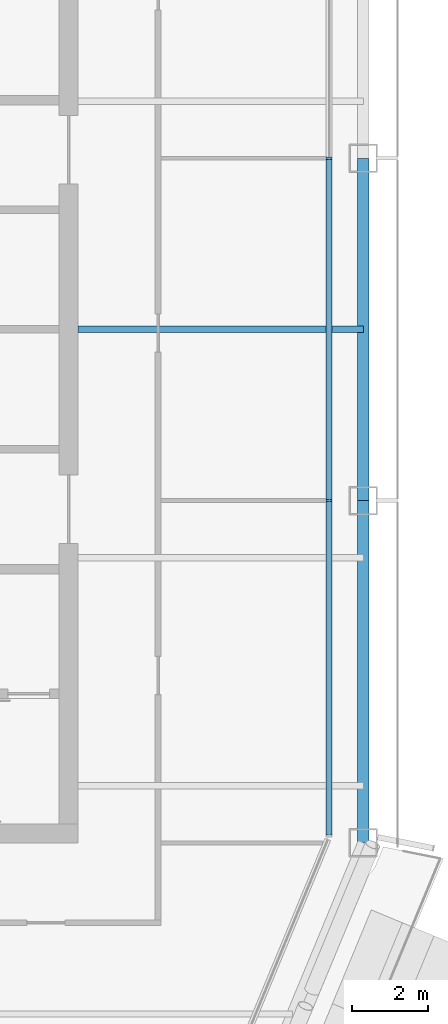
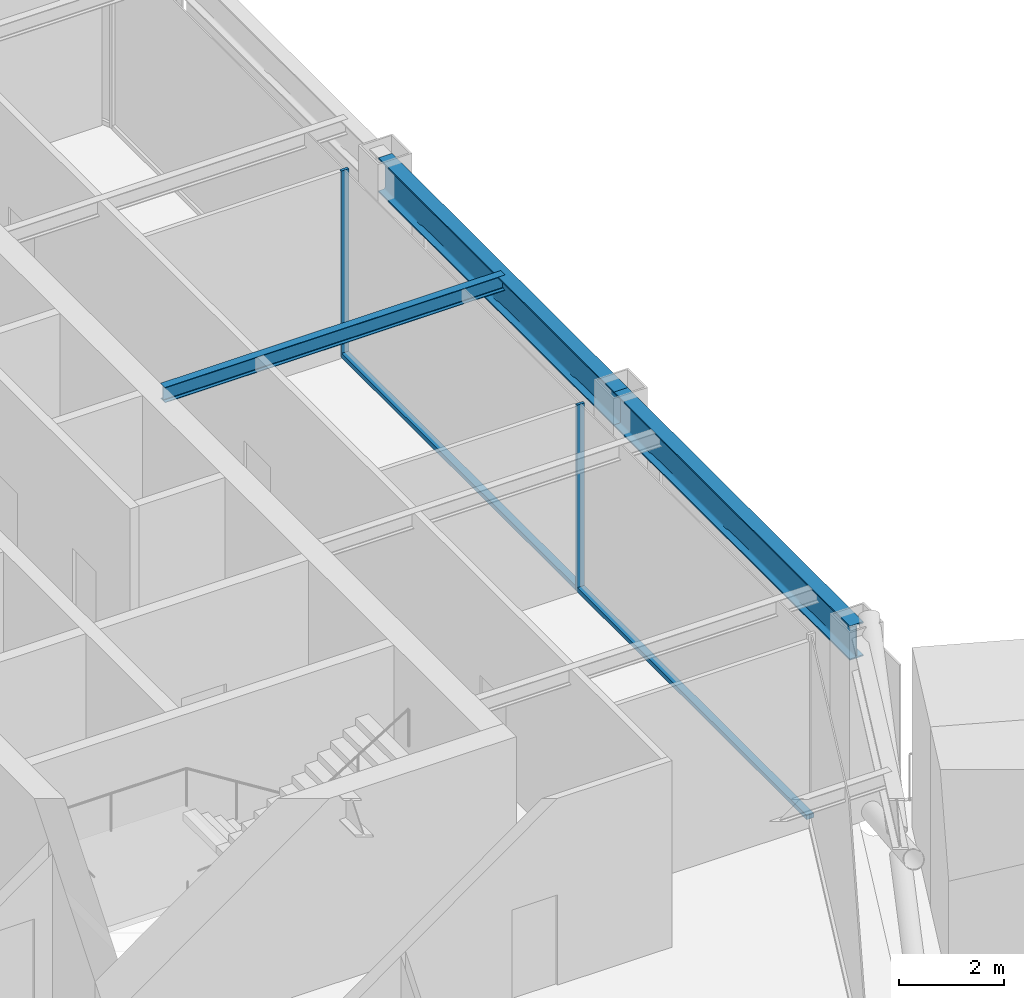
# One storey, part 5 of 21: 4 members, 3 beams, 1 element without a shape of its own.
"""IFC4 building model written with IfcOpenShell, lengths in metres."""

from ifc_helpers import new_model, si_unit, direction, frame, origin, origin_2d, place, context, subcontext, project, spatial, rectangle, i_section, extrude, material, layer, layer_set, material_profile, profile_set, type_object, element, aggregate, save


model = new_model("IFC4")

# Units and contexts
model_context = context("Model", 3, precision=1e-05, world=origin(), true_north=direction((0.0, 1.0)))
body_context = subcontext(model_context, "Body", "Model", "MODEL_VIEW")
ifc_project = project(units=[si_unit("LENGTHUNIT", "METRE"), si_unit("AREAUNIT", "SQUARE_METRE"), si_unit("VOLUMEUNIT", "CUBIC_METRE"), si_unit("PLANEANGLEUNIT", "RADIAN"), si_unit("MASSUNIT", "GRAM", prefix="KILO")], contexts=[model_context])

# Site, building, storey
site_placement = place(None, origin())
site = spatial("IfcSite", under=ifc_project, at=site_placement, CompositionType="ELEMENT")
building_placement = place(site_placement, origin())
building = spatial("IfcBuilding", under=site, at=building_placement, Name="Siwar Civic Tower", CompositionType="ELEMENT")
storey_placement = place(building_placement, frame((0.0, 0.0, 303.199951171875)))
storey = spatial("IfcBuildingStorey", under=building, at=storey_placement, Name="L65", CompositionType="ELEMENT", Elevation=303.199951171875)

# Curtain wall, members
ifc_material_1 = material(Name="Aluminium and glass", Category="aluminium")
ifc_layer = layer(ifc_material_1, 0.159912109375)
ifc_layer_set = layer_set([ifc_layer], Name="Aluminium and glass")
curtain_wall_type = type_object("IfcCurtainWallType", Name="ENV-CW-D", PredefinedType="NOTDEFINED", material=ifc_layer_set)
curtain_wall_placement = place(storey_placement, origin())
curtain_wall = element("IfcCurtainWall", 1, at=curtain_wall_placement, inside=storey, type_object=curtain_wall_type, Name="Curtain wall D E", PredefinedType="NOTDEFINED")
ifc_material_2 = material(Name="Aluminium 6063-T6", Category="aluminium")
ifc_material_profile_1 = material_profile(ifc_material_2, rectangle(XDim=0.159912109375, YDim=0.06005859375, at=origin_2d()), Name="AL 160x60")
ifc_profile_set_1 = profile_set([ifc_material_profile_1], Name="Aluminium 6063-T6")
member_type_1 = type_object("IfcMemberType", Name="ENV-MULLION-D", PredefinedType="MULLION", material=ifc_profile_set_1)
member_1_placement = place(storey_placement, frame((23.85009765625, -4.5, 0.0), z_axis=(0.0, 0.0, 1.0), x_axis=(-1.0, 0.0, 0.0)))
member_1 = element("IfcMember", 2, at=member_1_placement, type_object=member_type_1, Name="Mullion D E 2", PredefinedType="MULLION", context=body_context, shape_type="SweptSolid", body=[
    extrude(rectangle(XDim=0.159912109375, YDim=0.06005859375, at=origin_2d()), origin(), (0.0, 0.0, 1.0), 4.35009765625),
])
member_2_placement = place(storey_placement, frame((23.85009765625, 4.5, 0.0), z_axis=(0.0, 0.0, 1.0), x_axis=(-1.0, 0.0, 0.0)))
member_2 = element("IfcMember", 3, at=member_2_placement, type_object=member_type_1, Name="Mullion D E 3", PredefinedType="MULLION", context=body_context, shape_type="SweptSolid", body=[
    extrude(rectangle(XDim=0.159912109375, YDim=0.06005859375, at=origin_2d()), origin(), (0.0, 0.0, 1.0), 4.35009765625),
])
ifc_material_3 = material(Name="Aluminium 6063-T6", Category="aluminium")
ifc_material_profile_2 = material_profile(ifc_material_3, rectangle(XDim=0.159912109375, YDim=0.10009765625, at=origin_2d()), Name="AL 160x100")
ifc_profile_set_2 = profile_set([ifc_material_profile_2], Name="Aluminium 6063-T6")
member_type_2 = type_object("IfcMemberType", Name="ENV-TRANSOM-D", PredefinedType="USERDEFINED", material=ifc_profile_set_2)
member_3_placement = place(storey_placement, frame((23.85009765625, -13.291015625, 0.050048828125), z_axis=(0.0, 1.0, 0.0), x_axis=(-1.0, 0.0, 0.0)))
member_3 = element("IfcMember", 4, at=member_3_placement, type_object=member_type_2, Name="Transom D E 1", ObjectType="TRANSOM", PredefinedType="USERDEFINED", context=body_context, shape_type="SweptSolid", body=[
    extrude(rectangle(XDim=0.159912109375, YDim=0.10009765625, at=origin_2d()), origin(), (0.0, 0.0, 1.0), 8.760986328125),
])
member_4_placement = place(storey_placement, frame((23.85009765625, -4.469970703125, 0.050048828125), z_axis=(0.0, 1.0, 0.0), x_axis=(-1.0, 0.0, 0.0)))
member_4 = element("IfcMember", 5, at=member_4_placement, type_object=member_type_2, Name="Transom D E 2", ObjectType="TRANSOM", PredefinedType="USERDEFINED", context=body_context, shape_type="SweptSolid", body=[
    extrude(rectangle(XDim=0.159912109375, YDim=0.10009765625, at=origin_2d()), origin(), (0.0, 0.0, 1.0), 8.93994140625),
])
aggregate(curtain_wall, [member_1, member_2, member_3, member_4])

# Beams
ifc_material_4 = material(Name="Steel S355", Category="steel")
ifc_material_profile_3 = material_profile(ifc_material_4, i_section(OverallWidth=0.169921875, OverallDepth=0.360107421875, WebThickness=0.008056640625, FlangeThickness=0.0126953125, FilletRadius=0.01806640625, at=origin_2d()), Name="IPE360")
ifc_profile_set_3 = profile_set([ifc_material_profile_3], Name="Steel S355")
beam_type_1 = type_object("IfcBeamType", Name="STR-FB-IPE360", PredefinedType="JOIST", material=ifc_profile_set_3)
beam_placement = place(storey_placement, frame((17.25, 0.0, 4.170166015625), z_axis=(1.0, 0.0, 0.0), x_axis=(0.0, 1.0, 0.0)))
element("IfcBeam", 6, at=beam_placement, inside=storey, type_object=beam_type_1, Name="L65/bm/F019", PredefinedType="JOIST", context=body_context, shape_type="SweptSolid", body=[
    extrude(i_section(OverallWidth=0.169921875, OverallDepth=0.360107421875, WebThickness=0.008056640625, FlangeThickness=0.0126953125, FilletRadius=0.01806640625, at=origin_2d()), origin(), (0.0, 0.0, 1.0), 7.5),
])
ifc_material_5 = material(Name="Steel S355", Category="steel")
ifc_material_profile_4 = material_profile(ifc_material_5, i_section(OverallWidth=0.300048828125, OverallDepth=0.800048828125, WebThickness=0.017578125, FlangeThickness=0.032958984375, FilletRadius=0.030029296875, at=origin_2d()), Name="HEB800")
ifc_profile_set_4 = profile_set([ifc_material_profile_4], Name="Steel S355")
beam_type_2 = type_object("IfcBeamType", Name="STR-SB-HEB800", PredefinedType="BEAM", material=ifc_profile_set_4)
for number, where, z_axis, x_axis, name in (
    (7, (24.75, -13.5, 3.949951171875), (0.0, 1.0, 0.0), (-1.0, 0.0, 0.0), "L65/bm/SE-0"),
    (8, (24.75, -4.5, 3.949951171875), (0.0, 1.0, 0.0), (-1.0, 0.0, 0.0), "L65/bm/SE-1"),
):
    element("IfcBeam", number, at=place(storey_placement, frame(where, z_axis=z_axis, x_axis=x_axis)), inside=storey, type_object=beam_type_2, Name=name, PredefinedType="BEAM", context=body_context, shape_type="SweptSolid", body=[
        extrude(i_section(OverallWidth=0.300048828125, OverallDepth=0.800048828125, WebThickness=0.017578125, FlangeThickness=0.032958984375, FilletRadius=0.030029296875, at=origin_2d()), origin(), (0.0, 0.0, 1.0), 9.0),
    ])

save(model, "model.ifc")
